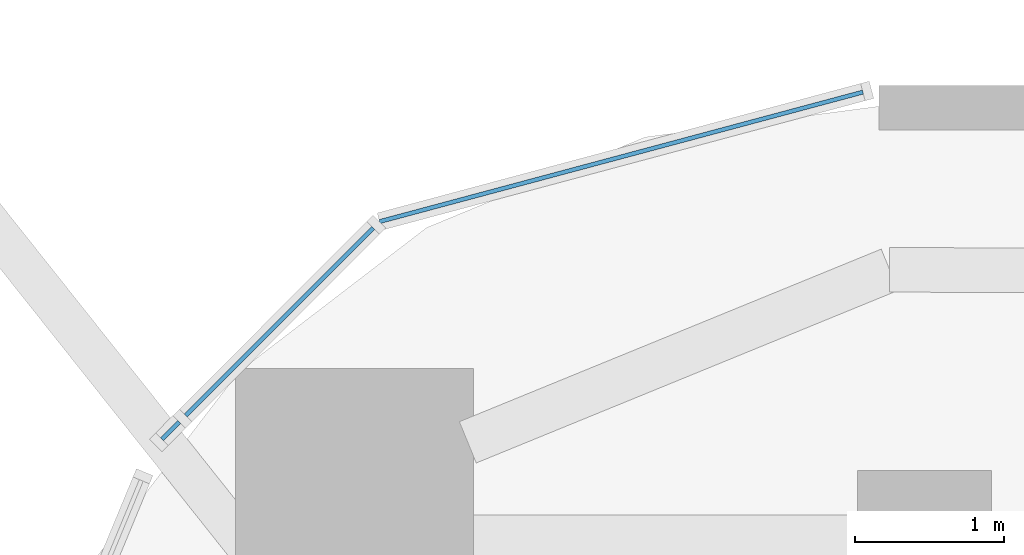
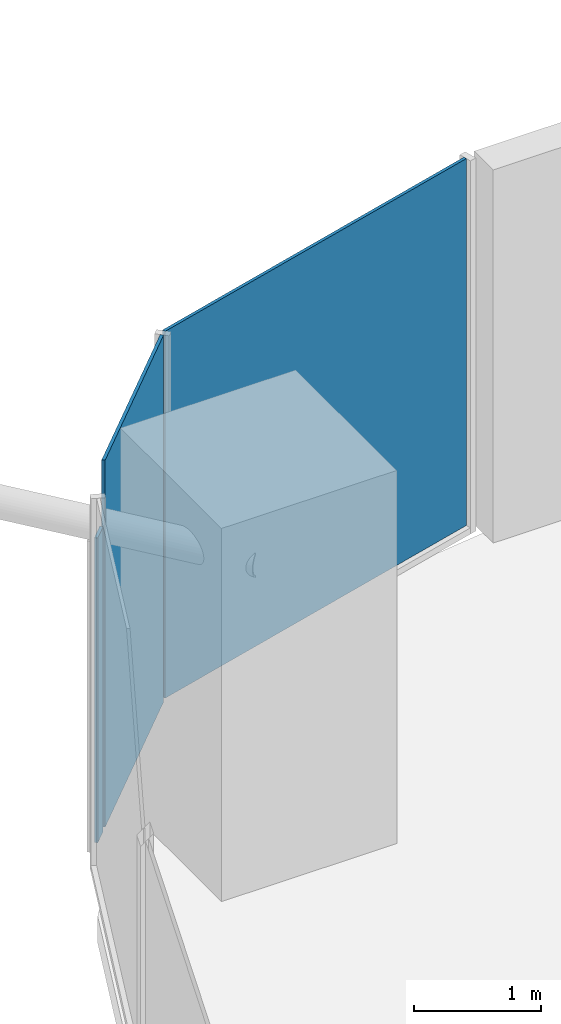
# One storey, part 22 of 33: 3 plates, 3 elements without a shape of their own.
"""IFC4 building model written with IfcOpenShell, lengths in metres."""

from ifc_helpers import new_model, si_unit, direction, frame, origin, origin_2d, place, context, subcontext, project, spatial, rectangle, extrude, material, layer, layer_set, type_object, element, aggregate, save


model = new_model("IFC4")

# Units and contexts
model_context = context("Model", 3, precision=1e-05, world=origin(), true_north=direction((0.0, 1.0)))
body_context = subcontext(model_context, "Body", "Model", "MODEL_VIEW")
ifc_project = project(units=[si_unit("LENGTHUNIT", "METRE"), si_unit("AREAUNIT", "SQUARE_METRE"), si_unit("VOLUMEUNIT", "CUBIC_METRE"), si_unit("PLANEANGLEUNIT", "RADIAN"), si_unit("MASSUNIT", "GRAM", prefix="KILO")], contexts=[model_context])

# Site, building, storey
site_placement = place(None, origin())
site = spatial("IfcSite", under=ifc_project, at=site_placement, CompositionType="ELEMENT")
building_placement = place(site_placement, origin())
building = spatial("IfcBuilding", under=site, at=building_placement, Name="Marenta Gate Hotel Tower", CompositionType="ELEMENT")
storey_placement = place(building_placement, frame((0.0, 0.0, 151.699951171875)))
storey = spatial("IfcBuildingStorey", under=building, at=storey_placement, Name="L35", CompositionType="ELEMENT", Elevation=151.699951171875)

# Curtain wall, plate
ifc_material_1 = material(Name="Tinted insulated glass in bronze anodised frame", Category="glass")
ifc_layer_1 = layer(ifc_material_1, 0.1201171875)
ifc_layer_set_1 = layer_set([ifc_layer_1], Name="Tinted insulated glass in bronze anodised frame")
curtain_wall_type = type_object("IfcCurtainWallType", Name="Tower unitised curtain wall CW1", PredefinedType="NOTDEFINED", material=ifc_layer_set_1)
curtain_wall_1_placement = place(storey_placement, origin())
curtain_wall_1 = element("IfcCurtainWall", 1, at=curtain_wall_1_placement, inside=storey, type_object=curtain_wall_type, Name="CW1 run G00", PredefinedType="NOTDEFINED")
ifc_material_2 = material(Name="Tinted insulated glass", Category="glass")
ifc_layer_2 = layer(ifc_material_2, 0.028076171875)
ifc_layer_set_2 = layer_set([ifc_layer_2], Name="Tinted insulated glass")
plate_type = type_object("IfcPlateType", Name="Glass panel CW1 28 mm tinted insulated unit", PredefinedType="CURTAIN_PANEL", material=ifc_layer_set_2)
plate_1_placement = place(storey_placement, frame((-23.04052734375, 27.759765625, 0.06005859375), z_axis=(0.0, 0.0, 1.0), x_axis=(-0.96593059835, -0.258801234873, 0.0)))
plate_1 = element("IfcPlate", 2, at=plate_1_placement, type_object=plate_type, Name="CW1 panel 1.1", PredefinedType="CURTAIN_PANEL", context=body_context, shape_type="SweptSolid", body=[
    extrude(rectangle(XDim=3.366943359375, YDim=0.028076171875, at=origin_2d()), origin(), (0.0, 0.0, 1.0), 3.5400390625),
])
aggregate(curtain_wall_1, [plate_1])

curtain_wall_2_placement = place(storey_placement, origin())
curtain_wall_2 = element("IfcCurtainWall", 3, at=curtain_wall_2_placement, inside=storey, type_object=curtain_wall_type, Name="CW1 run G01", PredefinedType="NOTDEFINED")
plate_2_placement = place(storey_placement, frame((-25.340087890625, 26.650634765625, 0.06005859375), z_axis=(0.0, 0.0, 1.0), x_axis=(-0.707106781187, -0.707106781187, 0.0)))
plate_2 = element("IfcPlate", 4, at=plate_2_placement, type_object=plate_type, Name="CW1 panel 1.1", PredefinedType="CURTAIN_PANEL", context=body_context, shape_type="SweptSolid", body=[
    extrude(rectangle(XDim=1.784912109375, YDim=0.028076171875, at=origin_2d()), origin(), (0.0, 0.0, 1.0), 3.5400390625),
])
aggregate(curtain_wall_2, [plate_2])

curtain_wall_3_placement = place(storey_placement, origin())
curtain_wall_3 = element("IfcCurtainWall", 5, at=curtain_wall_3_placement, inside=storey, type_object=curtain_wall_type, Name="CW1 run G02", PredefinedType="NOTDEFINED")
plate_3_placement = place(storey_placement, frame((-26.07177734375, 25.9189453125, 0.06005859375), z_axis=(0.0, 0.0, 1.0), x_axis=(-0.707106781187, -0.707106781187, 0.0)))
plate_3 = element("IfcPlate", 6, at=plate_3_placement, type_object=plate_type, Name="CW1 panel 1.1", PredefinedType="CURTAIN_PANEL", context=body_context, shape_type="SweptSolid", body=[
    extrude(rectangle(XDim=0.164306640625, YDim=0.028076171875, at=origin_2d()), origin(), (0.0, 0.0, 1.0), 2.9404296875),
])
aggregate(curtain_wall_3, [plate_3])

save(model, "model.ifc")
